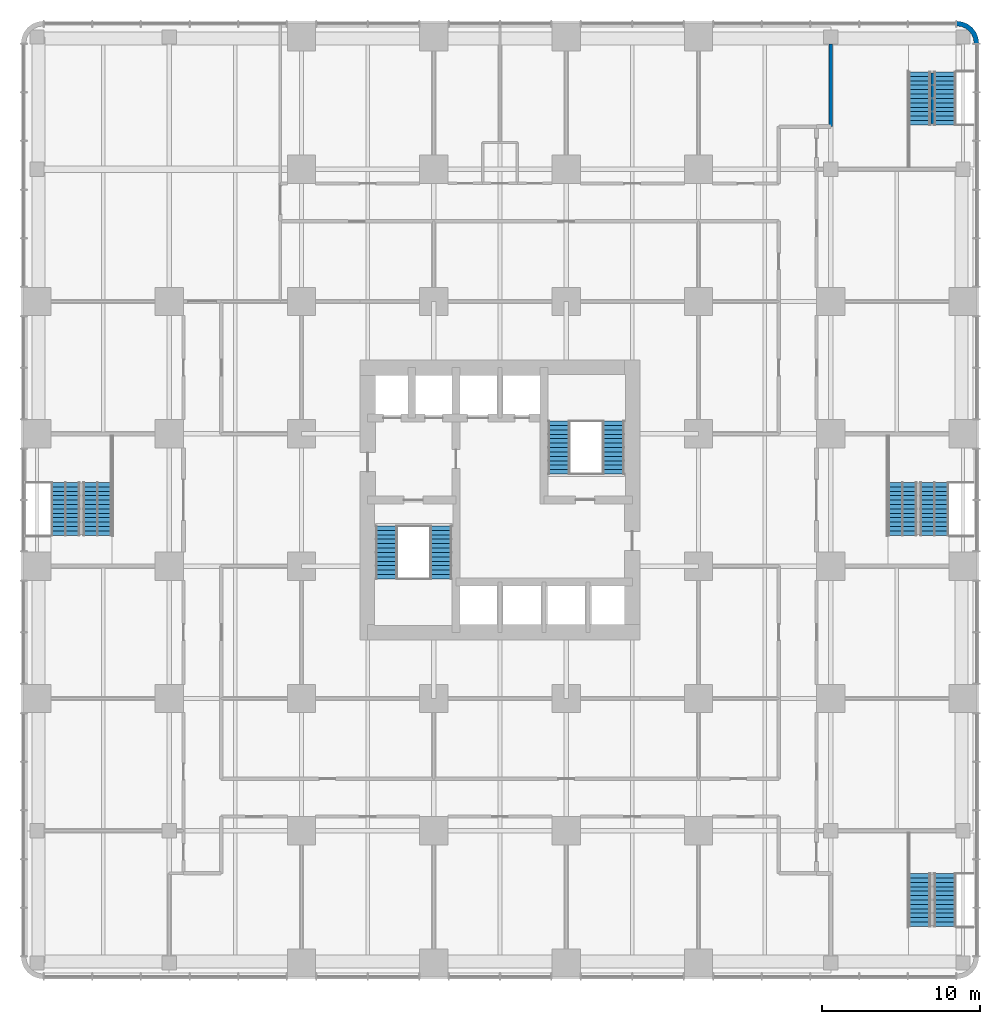
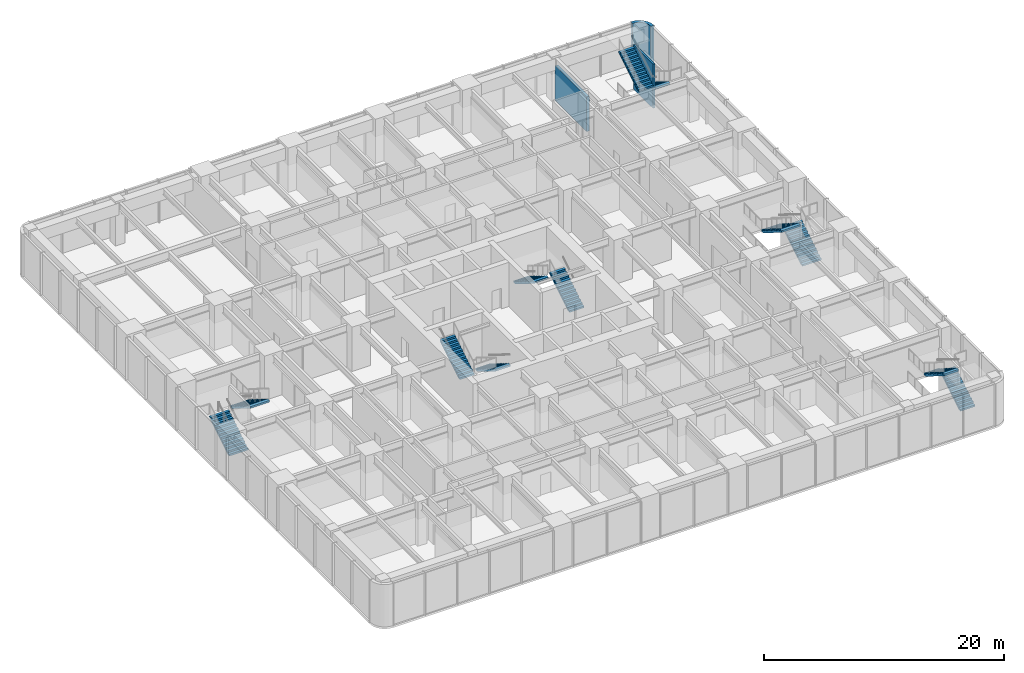
# One storey, part 13 of 17: 12 stair flights, 3 walls, 6 elements without a shape of their own.
"""IFC4 building model written with IfcOpenShell, lengths in metres."""

from ifc_helpers import new_model, si_unit, direction, frame, frame_2d, origin, place, context, subcontext, project, spatial, polyline, rectangle, outline, extrude, material, layer, layer_set, type_object, element, aggregate, save


model = new_model("IFC4")

# Units and contexts
model_context = context("Model", 3, precision=1e-05, world=origin(), true_north=direction((0.0, 1.0)))
body_context = subcontext(model_context, "Body", "Model", "MODEL_VIEW")
ifc_project = project(units=[si_unit("LENGTHUNIT", "METRE"), si_unit("AREAUNIT", "SQUARE_METRE"), si_unit("VOLUMEUNIT", "CUBIC_METRE"), si_unit("PLANEANGLEUNIT", "RADIAN"), si_unit("MASSUNIT", "GRAM", prefix="KILO")], contexts=[model_context])

# Site, building, storey
site_placement = place(None, origin())
site = spatial("IfcSite", under=ifc_project, at=site_placement, CompositionType="ELEMENT")
building_placement = place(site_placement, origin())
building = spatial("IfcBuilding", under=site, at=building_placement, Name="Torre Alcanfor", CompositionType="ELEMENT")
storey_placement = place(building_placement, frame((0.0, 0.0, 19.5)))
storey = spatial("IfcBuildingStorey", under=building, at=storey_placement, Name="L04", CompositionType="ELEMENT", Elevation=19.5)

# Walls
ifc_material_1 = material(Name="Limestone cladding", Category="masonry")
ifc_layer_1 = layer(ifc_material_1, 0.0400390625, Name="Facing")
ifc_material_2 = material(Name="Ventilated air cavity")
ifc_layer_2 = layer(ifc_material_2, 0.02001953125, ventilated=True, Name="Ventilated joint")
ifc_material_3 = material(Name="Mineral wool insulation", Category="insulation")
ifc_layer_3 = layer(ifc_material_3, 0.10009765625, Name="Insulation")
ifc_material_4 = material(Name="Concrete f'c 35 MPa", Category="concrete")
ifc_layer_4 = layer(ifc_material_4, 0.139892578125, Name="Backing")
ifc_layer_set_1 = layer_set([ifc_layer_1, ifc_layer_2, ifc_layer_3, ifc_layer_4], Name="Rounded corner pier stone-clad 300")
wall_type_1 = type_object("IfcWallType", Name="Rounded corner pier stone-clad 300", PredefinedType="SOLIDWALL", material=ifc_layer_set_1)
wall_1_placement = place(storey_placement, frame((59.647901787, 58.355188981, 0.0), z_axis=(0.0, 0.0, 1.0), x_axis=(0.707106781187, 0.707106781187, 0.0)))
element("IfcWall", 1, at=wall_1_placement, inside=storey, type_object=wall_type_1, Name="Corner pier L04 5", PredefinedType="SOLIDWALL", context=body_context, shape_type="SweptSolid", body=[
    extrude(outline(polyline([(0.13920132652713502, 1.90413906500536), (-0.10075922665872938, 1.7197664960826957), (-0.08677591384717909, 1.7057831832711454), (0.09966825697349269, 1.4627152272382697), (0.20929052407638765, 1.1980680847678162), (0.2464067247490213, 0.9140859912492929), (0.20929052407638762, 0.6301038977307699), (0.09966825697349269, 0.3654567552603164), (-0.08677591384717905, 0.12238879922744068), (-0.10075922665872943, 0.1084054864158903), (0.13920132652713513, -0.07596708250677396), (0.3615532635799362, 0.21405718321427095), (0.5015590251869406, 0.5519009260809882), (0.5492058688411122, 0.914085991249293), (0.5015590251869406, 1.2762710564175979), (0.3615532635799362, 1.614114799284315), (0.13920132652713502, 1.90413906500536)])), origin(), (0.0, 0.0, 1.0), 4.300048828125),
])
ifc_material_5 = material(Name="Reinforced concrete block masonry, hollow blocks NMX-C-404 9 MPa", Category="masonry")
ifc_layer_5 = layer(ifc_material_5, 0.25)
ifc_layer_set_2 = layer_set([ifc_layer_5], Name="Stair enclosure wall 250 EI 120")
wall_type_2 = type_object("IfcWallType", Name="Stair enclosure wall 250 EI 120", PredefinedType="SOLIDWALL", material=ifc_layer_set_2)
wall_2_placement = place(storey_placement, frame((50.39990234375, 53.10009765625, 0.0), z_axis=(0.0, 0.0, 1.0), x_axis=(0.0, 1.0, 0.0)))
element("IfcWall", 2, at=wall_2_placement, inside=storey, type_object=wall_type_2, Name="Partition L04-SS4 / L04-18", PredefinedType="SOLIDWALL", context=body_context, shape_type="SweptSolid", body=[
    extrude(rectangle(XDim=5.25, YDim=0.25, at=frame_2d((2.625, 0.0))), origin(), (0.0, 0.0, 1.0), 3.543212890625),
])
ifc_material_6 = material(Name="Concrete f'c 35 MPa", Category="concrete")
ifc_layer_6 = layer(ifc_material_6, 0.199951171875)
ifc_layer_set_3 = layer_set([ifc_layer_6], Name="Stair spine wall 200")
wall_type_3 = type_object("IfcWallType", Name="Stair spine wall 200", PredefinedType="SOLIDWALL", material=ifc_layer_set_3)
wall_3_placement = place(storey_placement, frame((56.85009765625, 56.52490234375, 0.0), z_axis=(0.0, 0.0, 1.0), x_axis=(0.0, -1.0, 0.0)))
element("IfcWall", 3, at=wall_3_placement, inside=storey, type_object=wall_type_3, Name="Stair spine wall SS4 L04", PredefinedType="SOLIDWALL", context=body_context, shape_type="SweptSolid", body=[
    extrude(rectangle(XDim=3.260009765625, YDim=0.199951171875, at=frame_2d((1.6298828125, 0.0))), origin(), (0.0, 0.0, 1.0), 4.5),
])

# Stair, stair flights
ifc_material_7 = material(Name="Concrete f'c 35 MPa", Category="concrete")
stair_type_1 = type_object("IfcStairType", Name="Exit stair S1 1400 wide", PredefinedType="HALF_TURN_STAIR", material=ifc_material_7)
stair_1_placement = place(storey_placement, origin())
stair_1 = element("IfcStair", 4, at=stair_1_placement, inside=storey, type_object=stair_type_1, Name="Stair S1 L04 to L05", PredefinedType="HALF_TURN_STAIR")
ifc_material_8 = material(Name="Concrete f'c 35 MPa", Category="concrete")
stair_flight_type_1 = type_object("IfcStairFlightType", Name="Stair flight 1400", PredefinedType="STRAIGHT", material=ifc_material_8)
stair_flight_1_placement = place(storey_placement, frame((25.64990234375, 27.75, 0.0), z_axis=(0.0, 0.0, 1.0), x_axis=(0.0, -1.0, 0.0)))
stair_flight_1 = element("IfcStairFlight", 5, at=stair_flight_1_placement, type_object=stair_flight_type_1, Name="S1 flight 1", NumberOfRisers=13, NumberOfTreads=12, PredefinedType="STRAIGHT", RiserHeight=0.173076923, TreadLength=0.28, context=body_context, shape_type="SweptSolid", body=[
    extrude(outline(polyline([(0.0, 0.0), (0.0, 0.173095703125), (0.280029296875, 0.173095703125), (0.280029296875, 0.34619140625), (0.56005859375, 0.34619140625), (0.56005859375, 0.519287109375), (0.840087890625, 0.519287109375), (0.840087890625, 0.6923828125), (1.1201171875, 0.6923828125), (1.1201171875, 0.865478515625), (1.39990234375, 0.865478515625), (1.39990234375, 1.03857421875), (1.679931640625, 1.03857421875), (1.679931640625, 1.21142578125), (1.9599609375, 1.21142578125), (1.9599609375, 1.384521484375), (2.239990234375, 1.384521484375), (2.239990234375, 1.5576171875), (2.52001953125, 1.5576171875), (2.52001953125, 1.730712890625), (2.800048828125, 1.730712890625), (2.800048828125, 1.90380859375), (3.080078125, 1.90380859375), (3.080078125, 2.076904296875), (3.360107421875, 2.076904296875), (3.360107421875, 2.25), (3.360107421875, 1.900634765625), (0.28515625, 0.0), (0.0, 0.0)])), frame((0.0, 0.699951171875, 0.0), z_axis=(0.0, -1.0, 0.0), x_axis=(1.0, 0.0, 0.0)), (0.0, 0.0, 1.0), 1.39990234375),
])
stair_flight_2_placement = place(storey_placement, frame((22.199951171875, 24.389892578125, 2.25), z_axis=(0.0, 0.0, 1.0), x_axis=(0.0, 1.0, 0.0)))
stair_flight_2 = element("IfcStairFlight", 6, at=stair_flight_2_placement, type_object=stair_flight_type_1, Name="S1 flight 2", NumberOfRisers=13, NumberOfTreads=12, PredefinedType="STRAIGHT", RiserHeight=0.173076923, TreadLength=0.28, context=body_context, shape_type="SweptSolid", body=[
    extrude(outline(polyline([(0.0, 0.0), (0.0, 0.173095703125), (0.280029296875, 0.173095703125), (0.280029296875, 0.34619140625), (0.56005859375, 0.34619140625), (0.56005859375, 0.519287109375), (0.840087890625, 0.519287109375), (0.840087890625, 0.6923828125), (1.1201171875, 0.6923828125), (1.1201171875, 0.865478515625), (1.39990234375, 0.865478515625), (1.39990234375, 1.03857421875), (1.679931640625, 1.03857421875), (1.679931640625, 1.21142578125), (1.9599609375, 1.21142578125), (1.9599609375, 1.384521484375), (2.239990234375, 1.384521484375), (2.239990234375, 1.5576171875), (2.52001953125, 1.5576171875), (2.52001953125, 1.730712890625), (2.800048828125, 1.730712890625), (2.800048828125, 1.90380859375), (3.080078125, 1.90380859375), (3.080078125, 2.076904296875), (3.360107421875, 2.076904296875), (3.360107421875, 2.25), (3.360107421875, 1.900634765625), (0.28515625, 0.0), (0.0, 0.0)])), frame((0.0, 0.699951171875, 0.0), z_axis=(0.0, -1.0, 0.0), x_axis=(1.0, 0.0, 0.0)), (0.0, 0.0, 1.0), 1.39990234375),
])
aggregate(stair_1, [stair_flight_1, stair_flight_2])

ifc_material_9 = material(Name="Concrete f'c 35 MPa", Category="concrete")
stair_type_2 = type_object("IfcStairType", Name="Exit stair S2 1400 wide", PredefinedType="HALF_TURN_STAIR", material=ifc_material_9)
stair_2_placement = place(storey_placement, origin())
stair_2 = element("IfcStair", 7, at=stair_2_placement, inside=storey, type_object=stair_type_2, Name="Stair S2 L04 to L05", PredefinedType="HALF_TURN_STAIR")
stair_flight_3_placement = place(storey_placement, frame((36.60009765625, 31.050048828125, 0.0), z_axis=(0.0, 0.0, 1.0), x_axis=(0.0, 1.0, 0.0)))
stair_flight_3 = element("IfcStairFlight", 8, at=stair_flight_3_placement, type_object=stair_flight_type_1, Name="S2 flight 1", NumberOfRisers=13, NumberOfTreads=12, PredefinedType="STRAIGHT", RiserHeight=0.173076923, TreadLength=0.28, context=body_context, shape_type="SweptSolid", body=[
    extrude(outline(polyline([(0.0, 0.0), (0.0, 0.173095703125), (0.280029296875, 0.173095703125), (0.280029296875, 0.34619140625), (0.56005859375, 0.34619140625), (0.56005859375, 0.519287109375), (0.840087890625, 0.519287109375), (0.840087890625, 0.6923828125), (1.1201171875, 0.6923828125), (1.1201171875, 0.865478515625), (1.39990234375, 0.865478515625), (1.39990234375, 1.03857421875), (1.679931640625, 1.03857421875), (1.679931640625, 1.21142578125), (1.9599609375, 1.21142578125), (1.9599609375, 1.384521484375), (2.239990234375, 1.384521484375), (2.239990234375, 1.5576171875), (2.52001953125, 1.5576171875), (2.52001953125, 1.730712890625), (2.800048828125, 1.730712890625), (2.800048828125, 1.90380859375), (3.080078125, 1.90380859375), (3.080078125, 2.076904296875), (3.360107421875, 2.076904296875), (3.360107421875, 2.25), (3.360107421875, 1.900634765625), (0.28515625, 0.0), (0.0, 0.0)])), frame((0.0, 0.699951171875, 0.0), z_axis=(0.0, -1.0, 0.0), x_axis=(1.0, 0.0, 0.0)), (0.0, 0.0, 1.0), 1.39990234375),
])
stair_flight_4_placement = place(storey_placement, frame((33.14990234375, 34.409912109375, 2.25), z_axis=(0.0, 0.0, 1.0), x_axis=(0.0, -1.0, 0.0)))
stair_flight_4 = element("IfcStairFlight", 9, at=stair_flight_4_placement, type_object=stair_flight_type_1, Name="S2 flight 2", NumberOfRisers=13, NumberOfTreads=12, PredefinedType="STRAIGHT", RiserHeight=0.173076923, TreadLength=0.28, context=body_context, shape_type="SweptSolid", body=[
    extrude(outline(polyline([(0.0, 0.0), (0.0, 0.173095703125), (0.280029296875, 0.173095703125), (0.280029296875, 0.34619140625), (0.56005859375, 0.34619140625), (0.56005859375, 0.519287109375), (0.840087890625, 0.519287109375), (0.840087890625, 0.6923828125), (1.1201171875, 0.6923828125), (1.1201171875, 0.865478515625), (1.39990234375, 0.865478515625), (1.39990234375, 1.03857421875), (1.679931640625, 1.03857421875), (1.679931640625, 1.21142578125), (1.9599609375, 1.21142578125), (1.9599609375, 1.384521484375), (2.239990234375, 1.384521484375), (2.239990234375, 1.5576171875), (2.52001953125, 1.5576171875), (2.52001953125, 1.730712890625), (2.800048828125, 1.730712890625), (2.800048828125, 1.90380859375), (3.080078125, 1.90380859375), (3.080078125, 2.076904296875), (3.360107421875, 2.076904296875), (3.360107421875, 2.25), (3.360107421875, 1.900634765625), (0.28515625, 0.0), (0.0, 0.0)])), frame((0.0, 0.699951171875, 0.0), z_axis=(0.0, -1.0, 0.0), x_axis=(1.0, 0.0, 0.0)), (0.0, 0.0, 1.0), 1.39990234375),
])
aggregate(stair_2, [stair_flight_3, stair_flight_4])

ifc_material_10 = material(Name="Concrete f'c 35 MPa", Category="concrete")
stair_type_3 = type_object("IfcStairType", Name="Exit stair SS3 1400 wide", PredefinedType="HALF_TURN_STAIR", material=ifc_material_10)
stair_3_placement = place(storey_placement, origin())
stair_3 = element("IfcStair", 10, at=stair_3_placement, inside=storey, type_object=stair_type_3, Name="Stair SS3 L04 to L05", PredefinedType="HALF_TURN_STAIR")
stair_flight_5_placement = place(storey_placement, frame((57.64990234375, 2.324951171875, 0.0), z_axis=(0.0, 0.0, 1.0), x_axis=(0.0, 1.0, 0.0)))
stair_flight_5 = element("IfcStairFlight", 11, at=stair_flight_5_placement, type_object=stair_flight_type_1, Name="SS3 flight 1", NumberOfRisers=13, NumberOfTreads=12, PredefinedType="STRAIGHT", RiserHeight=0.173076923, TreadLength=0.28, context=body_context, shape_type="SweptSolid", body=[
    extrude(outline(polyline([(0.0, 0.0), (0.0, 0.173095703125), (0.280029296875, 0.173095703125), (0.280029296875, 0.34619140625), (0.56005859375, 0.34619140625), (0.56005859375, 0.519287109375), (0.840087890625, 0.519287109375), (0.840087890625, 0.6923828125), (1.1201171875, 0.6923828125), (1.1201171875, 0.865478515625), (1.39990234375, 0.865478515625), (1.39990234375, 1.03857421875), (1.679931640625, 1.03857421875), (1.679931640625, 1.21142578125), (1.9599609375, 1.21142578125), (1.9599609375, 1.384521484375), (2.239990234375, 1.384521484375), (2.239990234375, 1.5576171875), (2.52001953125, 1.5576171875), (2.52001953125, 1.730712890625), (2.800048828125, 1.730712890625), (2.800048828125, 1.90380859375), (3.080078125, 1.90380859375), (3.080078125, 2.076904296875), (3.360107421875, 2.076904296875), (3.360107421875, 2.25), (3.360107421875, 1.900634765625), (0.28515625, 0.0), (0.0, 0.0)])), frame((0.0, 0.699951171875, 0.0), z_axis=(0.0, -1.0, 0.0), x_axis=(1.0, 0.0, 0.0)), (0.0, 0.0, 1.0), 1.39990234375),
])
stair_flight_6_placement = place(storey_placement, frame((56.050048828125, 5.68505859375, 2.25), z_axis=(0.0, 0.0, 1.0), x_axis=(0.0, -1.0, 0.0)))
stair_flight_6 = element("IfcStairFlight", 12, at=stair_flight_6_placement, type_object=stair_flight_type_1, Name="SS3 flight 2", NumberOfRisers=13, NumberOfTreads=12, PredefinedType="STRAIGHT", RiserHeight=0.173076923, TreadLength=0.28, context=body_context, shape_type="SweptSolid", body=[
    extrude(outline(polyline([(0.0, 0.0), (0.0, 0.173095703125), (0.280029296875, 0.173095703125), (0.280029296875, 0.34619140625), (0.56005859375, 0.34619140625), (0.56005859375, 0.519287109375), (0.840087890625, 0.519287109375), (0.840087890625, 0.6923828125), (1.1201171875, 0.6923828125), (1.1201171875, 0.865478515625), (1.39990234375, 0.865478515625), (1.39990234375, 1.03857421875), (1.679931640625, 1.03857421875), (1.679931640625, 1.21142578125), (1.9599609375, 1.21142578125), (1.9599609375, 1.384521484375), (2.239990234375, 1.384521484375), (2.239990234375, 1.5576171875), (2.52001953125, 1.5576171875), (2.52001953125, 1.730712890625), (2.800048828125, 1.730712890625), (2.800048828125, 1.90380859375), (3.080078125, 1.90380859375), (3.080078125, 2.076904296875), (3.360107421875, 2.076904296875), (3.360107421875, 2.25), (3.360107421875, 1.900634765625), (0.28515625, 0.0), (0.0, 0.0)])), frame((0.0, 0.699951171875, 0.0), z_axis=(0.0, -1.0, 0.0), x_axis=(1.0, 0.0, 0.0)), (0.0, 0.0, 1.0), 1.39990234375),
])
aggregate(stair_3, [stair_flight_5, stair_flight_6])

ifc_material_11 = material(Name="Concrete f'c 35 MPa", Category="concrete")
stair_type_4 = type_object("IfcStairType", Name="Exit stair SS4 1400 wide", PredefinedType="HALF_TURN_STAIR", material=ifc_material_11)
stair_4_placement = place(storey_placement, origin())
stair_4 = element("IfcStair", 13, at=stair_4_placement, inside=storey, type_object=stair_type_4, Name="Stair SS4 L04 to L05", PredefinedType="HALF_TURN_STAIR")
stair_flight_7_placement = place(storey_placement, frame((57.64990234375, 56.574951171875, 0.0), z_axis=(0.0, 0.0, 1.0), x_axis=(0.0, -1.0, 0.0)))
stair_flight_7 = element("IfcStairFlight", 14, at=stair_flight_7_placement, type_object=stair_flight_type_1, Name="SS4 flight 1", NumberOfRisers=13, NumberOfTreads=12, PredefinedType="STRAIGHT", RiserHeight=0.173076923, TreadLength=0.28, context=body_context, shape_type="SweptSolid", body=[
    extrude(outline(polyline([(0.0, 0.0), (0.0, 0.173095703125), (0.280029296875, 0.173095703125), (0.280029296875, 0.34619140625), (0.56005859375, 0.34619140625), (0.56005859375, 0.519287109375), (0.840087890625, 0.519287109375), (0.840087890625, 0.6923828125), (1.1201171875, 0.6923828125), (1.1201171875, 0.865478515625), (1.39990234375, 0.865478515625), (1.39990234375, 1.03857421875), (1.679931640625, 1.03857421875), (1.679931640625, 1.21142578125), (1.9599609375, 1.21142578125), (1.9599609375, 1.384521484375), (2.239990234375, 1.384521484375), (2.239990234375, 1.5576171875), (2.52001953125, 1.5576171875), (2.52001953125, 1.730712890625), (2.800048828125, 1.730712890625), (2.800048828125, 1.90380859375), (3.080078125, 1.90380859375), (3.080078125, 2.076904296875), (3.360107421875, 2.076904296875), (3.360107421875, 2.25), (3.360107421875, 1.900634765625), (0.28515625, 0.0), (0.0, 0.0)])), frame((0.0, 0.699951171875, 0.0), z_axis=(0.0, -1.0, 0.0), x_axis=(1.0, 0.0, 0.0)), (0.0, 0.0, 1.0), 1.39990234375),
])
stair_flight_8_placement = place(storey_placement, frame((56.050048828125, 53.215087890625, 2.25), z_axis=(0.0, 0.0, 1.0), x_axis=(0.0, 1.0, 0.0)))
stair_flight_8 = element("IfcStairFlight", 15, at=stair_flight_8_placement, type_object=stair_flight_type_1, Name="SS4 flight 2", NumberOfRisers=13, NumberOfTreads=12, PredefinedType="STRAIGHT", RiserHeight=0.173076923, TreadLength=0.28, context=body_context, shape_type="SweptSolid", body=[
    extrude(outline(polyline([(0.0, 0.0), (0.0, 0.173095703125), (0.280029296875, 0.173095703125), (0.280029296875, 0.34619140625), (0.56005859375, 0.34619140625), (0.56005859375, 0.519287109375), (0.840087890625, 0.519287109375), (0.840087890625, 0.6923828125), (1.1201171875, 0.6923828125), (1.1201171875, 0.865478515625), (1.39990234375, 0.865478515625), (1.39990234375, 1.03857421875), (1.679931640625, 1.03857421875), (1.679931640625, 1.21142578125), (1.9599609375, 1.21142578125), (1.9599609375, 1.384521484375), (2.239990234375, 1.384521484375), (2.239990234375, 1.5576171875), (2.52001953125, 1.5576171875), (2.52001953125, 1.730712890625), (2.800048828125, 1.730712890625), (2.800048828125, 1.90380859375), (3.080078125, 1.90380859375), (3.080078125, 2.076904296875), (3.360107421875, 2.076904296875), (3.360107421875, 2.25), (3.360107421875, 1.900634765625), (0.28515625, 0.0), (0.0, 0.0)])), frame((0.0, 0.699951171875, 0.0), z_axis=(0.0, -1.0, 0.0), x_axis=(1.0, 0.0, 0.0)), (0.0, 0.0, 1.0), 1.39990234375),
])
aggregate(stair_4, [stair_flight_7, stair_flight_8])

ifc_material_12 = material(Name="Concrete f'c 35 MPa", Category="concrete")
stair_type_5 = type_object("IfcStairType", Name="Exit stair SS1 1830 wide", PredefinedType="HALF_TURN_STAIR", material=ifc_material_12)
stair_5_placement = place(storey_placement, origin())
stair_5 = element("IfcStair", 16, at=stair_5_placement, inside=storey, type_object=stair_type_5, Name="Stair SS1 L04 to L05", PredefinedType="HALF_TURN_STAIR")
ifc_material_13 = material(Name="Concrete f'c 35 MPa", Category="concrete")
stair_flight_type_2 = type_object("IfcStairFlightType", Name="Stair flight 1830", PredefinedType="STRAIGHT", material=ifc_material_13)
stair_flight_9_placement = place(storey_placement, frame((1.81494140625, 27.155029296875, 0.0), z_axis=(0.0, 0.0, 1.0), x_axis=(0.0, 1.0, 0.0)))
stair_flight_9 = element("IfcStairFlight", 17, at=stair_flight_9_placement, type_object=stair_flight_type_2, Name="SS1 flight 1", NumberOfRisers=13, NumberOfTreads=12, PredefinedType="STRAIGHT", RiserHeight=0.173076923, TreadLength=0.28, context=body_context, shape_type="SweptSolid", body=[
    extrude(outline(polyline([(0.0, 0.0), (0.0, 0.173095703125), (0.280029296875, 0.173095703125), (0.280029296875, 0.34619140625), (0.56005859375, 0.34619140625), (0.56005859375, 0.519287109375), (0.840087890625, 0.519287109375), (0.840087890625, 0.6923828125), (1.1201171875, 0.6923828125), (1.1201171875, 0.865478515625), (1.39990234375, 0.865478515625), (1.39990234375, 1.03857421875), (1.679931640625, 1.03857421875), (1.679931640625, 1.21142578125), (1.9599609375, 1.21142578125), (1.9599609375, 1.384521484375), (2.239990234375, 1.384521484375), (2.239990234375, 1.5576171875), (2.52001953125, 1.5576171875), (2.52001953125, 1.730712890625), (2.800048828125, 1.730712890625), (2.800048828125, 1.90380859375), (3.080078125, 1.90380859375), (3.080078125, 2.076904296875), (3.360107421875, 2.076904296875), (3.360107421875, 2.25), (3.360107421875, 1.900634765625), (0.28515625, 0.0), (0.0, 0.0)])), frame((0.0, 0.9150390625, 0.0), z_axis=(0.0, -1.0, 0.0), x_axis=(1.0, 0.0, 0.0)), (0.0, 0.0, 1.0), 1.830078125),
])
stair_flight_10_placement = place(storey_placement, frame((3.844970703125, 30.514892578125, 2.25), z_axis=(0.0, 0.0, 1.0), x_axis=(0.0, -1.0, 0.0)))
stair_flight_10 = element("IfcStairFlight", 18, at=stair_flight_10_placement, type_object=stair_flight_type_2, Name="SS1 flight 2", NumberOfRisers=13, NumberOfTreads=12, PredefinedType="STRAIGHT", RiserHeight=0.173076923, TreadLength=0.28, context=body_context, shape_type="SweptSolid", body=[
    extrude(outline(polyline([(0.0, 0.0), (0.0, 0.173095703125), (0.280029296875, 0.173095703125), (0.280029296875, 0.34619140625), (0.56005859375, 0.34619140625), (0.56005859375, 0.519287109375), (0.840087890625, 0.519287109375), (0.840087890625, 0.6923828125), (1.1201171875, 0.6923828125), (1.1201171875, 0.865478515625), (1.39990234375, 0.865478515625), (1.39990234375, 1.03857421875), (1.679931640625, 1.03857421875), (1.679931640625, 1.21142578125), (1.9599609375, 1.21142578125), (1.9599609375, 1.384521484375), (2.239990234375, 1.384521484375), (2.239990234375, 1.5576171875), (2.52001953125, 1.5576171875), (2.52001953125, 1.730712890625), (2.800048828125, 1.730712890625), (2.800048828125, 1.90380859375), (3.080078125, 1.90380859375), (3.080078125, 2.076904296875), (3.360107421875, 2.076904296875), (3.360107421875, 2.25), (3.360107421875, 1.900634765625), (0.28515625, 0.0), (0.0, 0.0)])), frame((0.0, 0.9150390625, 0.0), z_axis=(0.0, -1.0, 0.0), x_axis=(1.0, 0.0, 0.0)), (0.0, 0.0, 1.0), 1.830078125),
])
aggregate(stair_5, [stair_flight_9, stair_flight_10])

ifc_material_14 = material(Name="Concrete f'c 35 MPa", Category="concrete")
stair_type_6 = type_object("IfcStairType", Name="Exit stair SS2 1830 wide", PredefinedType="HALF_TURN_STAIR", material=ifc_material_14)
stair_6_placement = place(storey_placement, origin())
stair_6 = element("IfcStair", 19, at=stair_6_placement, inside=storey, type_object=stair_type_6, Name="Stair SS2 L04 to L05", PredefinedType="HALF_TURN_STAIR")
stair_flight_11_placement = place(storey_placement, frame((56.985107421875, 27.155029296875, 0.0), z_axis=(0.0, 0.0, 1.0), x_axis=(0.0, 1.0, 0.0)))
stair_flight_11 = element("IfcStairFlight", 20, at=stair_flight_11_placement, type_object=stair_flight_type_2, Name="SS2 flight 1", NumberOfRisers=13, NumberOfTreads=12, PredefinedType="STRAIGHT", RiserHeight=0.173076923, TreadLength=0.28, context=body_context, shape_type="SweptSolid", body=[
    extrude(outline(polyline([(0.0, 0.0), (0.0, 0.173095703125), (0.280029296875, 0.173095703125), (0.280029296875, 0.34619140625), (0.56005859375, 0.34619140625), (0.56005859375, 0.519287109375), (0.840087890625, 0.519287109375), (0.840087890625, 0.6923828125), (1.1201171875, 0.6923828125), (1.1201171875, 0.865478515625), (1.39990234375, 0.865478515625), (1.39990234375, 1.03857421875), (1.679931640625, 1.03857421875), (1.679931640625, 1.21142578125), (1.9599609375, 1.21142578125), (1.9599609375, 1.384521484375), (2.239990234375, 1.384521484375), (2.239990234375, 1.5576171875), (2.52001953125, 1.5576171875), (2.52001953125, 1.730712890625), (2.800048828125, 1.730712890625), (2.800048828125, 1.90380859375), (3.080078125, 1.90380859375), (3.080078125, 2.076904296875), (3.360107421875, 2.076904296875), (3.360107421875, 2.25), (3.360107421875, 1.900634765625), (0.28515625, 0.0), (0.0, 0.0)])), frame((0.0, 0.9150390625, 0.0), z_axis=(0.0, -1.0, 0.0), x_axis=(1.0, 0.0, 0.0)), (0.0, 0.0, 1.0), 1.830078125),
])
stair_flight_12_placement = place(storey_placement, frame((54.955078125, 30.514892578125, 2.25), z_axis=(0.0, 0.0, 1.0), x_axis=(0.0, -1.0, 0.0)))
stair_flight_12 = element("IfcStairFlight", 21, at=stair_flight_12_placement, type_object=stair_flight_type_2, Name="SS2 flight 2", NumberOfRisers=13, NumberOfTreads=12, PredefinedType="STRAIGHT", RiserHeight=0.173076923, TreadLength=0.28, context=body_context, shape_type="SweptSolid", body=[
    extrude(outline(polyline([(0.0, 0.0), (0.0, 0.173095703125), (0.280029296875, 0.173095703125), (0.280029296875, 0.34619140625), (0.56005859375, 0.34619140625), (0.56005859375, 0.519287109375), (0.840087890625, 0.519287109375), (0.840087890625, 0.6923828125), (1.1201171875, 0.6923828125), (1.1201171875, 0.865478515625), (1.39990234375, 0.865478515625), (1.39990234375, 1.03857421875), (1.679931640625, 1.03857421875), (1.679931640625, 1.21142578125), (1.9599609375, 1.21142578125), (1.9599609375, 1.384521484375), (2.239990234375, 1.384521484375), (2.239990234375, 1.5576171875), (2.52001953125, 1.5576171875), (2.52001953125, 1.730712890625), (2.800048828125, 1.730712890625), (2.800048828125, 1.90380859375), (3.080078125, 1.90380859375), (3.080078125, 2.076904296875), (3.360107421875, 2.076904296875), (3.360107421875, 2.25), (3.360107421875, 1.900634765625), (0.28515625, 0.0), (0.0, 0.0)])), frame((0.0, 0.9150390625, 0.0), z_axis=(0.0, -1.0, 0.0), x_axis=(1.0, 0.0, 0.0)), (0.0, 0.0, 1.0), 1.830078125),
])
aggregate(stair_6, [stair_flight_11, stair_flight_12])

save(model, "model.ifc")
